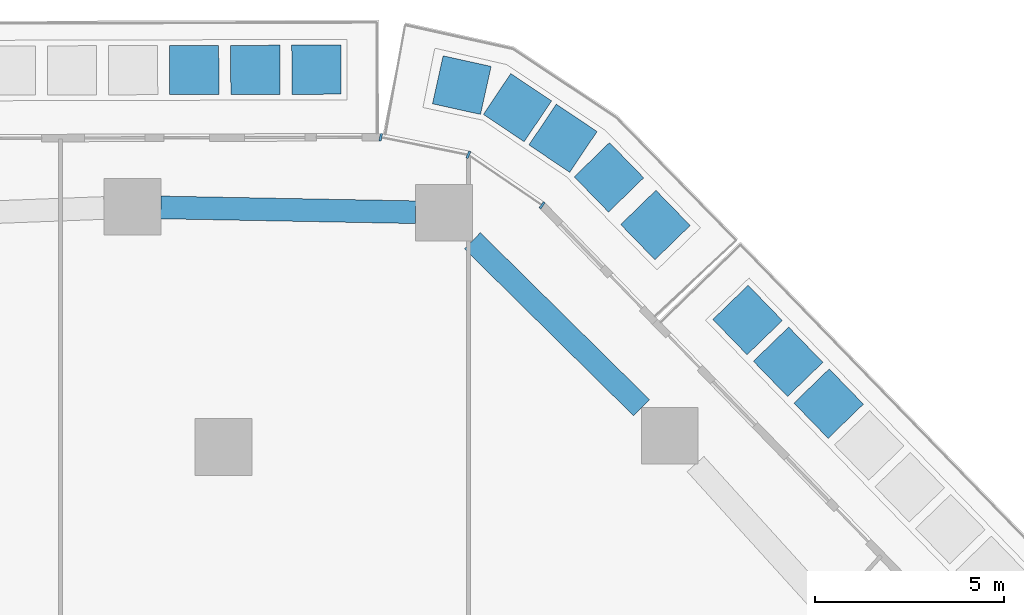
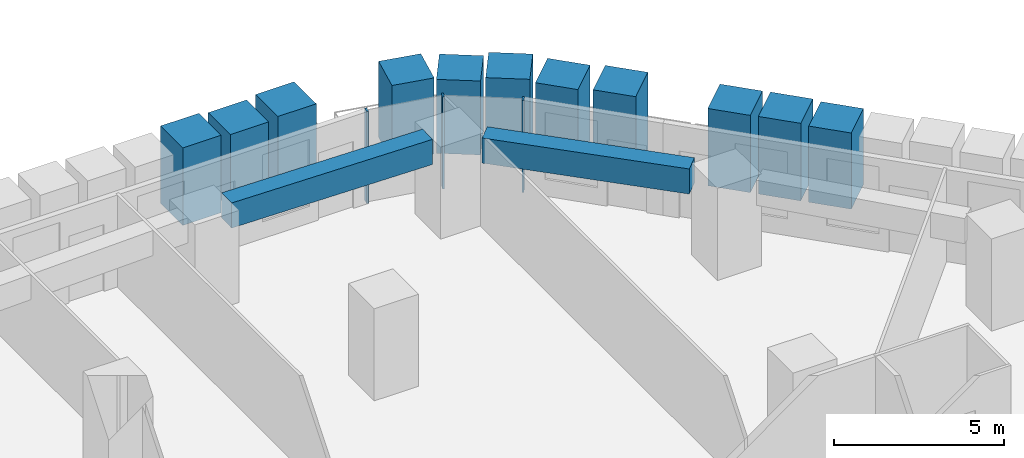
# One storey, part 10 of 27: 14 members, 2 beams, 1 element without a shape of its own.
"""IFC4 building model written with IfcOpenShell, lengths in metres."""

from ifc_helpers import new_model, si_unit, direction, frame, origin, origin_2d, place, context, subcontext, project, spatial, rectangle, extrude, material, layer, layer_set, material_profile, profile_set, type_object, element, aggregate, save


model = new_model("IFC4")

# Units and contexts
model_context = context("Model", 3, precision=1e-05, world=origin(), true_north=direction((0.0, 1.0)))
body_context = subcontext(model_context, "Body", "Model", "MODEL_VIEW")
ifc_project = project(units=[si_unit("LENGTHUNIT", "METRE"), si_unit("AREAUNIT", "SQUARE_METRE"), si_unit("VOLUMEUNIT", "CUBIC_METRE"), si_unit("PLANEANGLEUNIT", "RADIAN"), si_unit("MASSUNIT", "GRAM", prefix="KILO")], contexts=[model_context])

# Site, building, storey
site_placement = place(None, origin())
site = spatial("IfcSite", under=ifc_project, at=site_placement, CompositionType="ELEMENT")
building_placement = place(site_placement, origin())
building = spatial("IfcBuilding", under=site, at=building_placement, Name="Dongbaek Canopy Tower", CompositionType="ELEMENT")
storey_placement = place(building_placement, frame((0.0, 0.0, 55.10009765625)))
storey = spatial("IfcBuildingStorey", under=building, at=storey_placement, Name="L09", CompositionType="ELEMENT", Elevation=55.10009765625)

# Curtain wall, members
ifc_material_1 = material(Name="Aluminium 6063-T6 pale anodised", Category="aluminium")
ifc_layer = layer(ifc_material_1, 0.199951171875)
ifc_layer_set = layer_set([ifc_layer], Name="CW-1 unitised tower curtain wall")
curtain_wall_type = type_object("IfcCurtainWallType", Name="CW-1 unitised tower curtain wall", PredefinedType="NOTDEFINED", material=ifc_layer_set)
curtain_wall_placement = place(storey_placement, origin())
curtain_wall = element("IfcCurtainWall", 1, at=curtain_wall_placement, inside=storey, type_object=curtain_wall_type, Name="CW-1 curtain wall K1.1", PredefinedType="NOTDEFINED")
ifc_material_2 = material(Name="Aluminium 6063-T6 pale anodised", Category="aluminium")
ifc_material_profile_1 = material_profile(ifc_material_2, rectangle(XDim=0.199951171875, YDim=0.06005859375, at=origin_2d()), Name="CW-1 mullion 60 x 200")
ifc_profile_set_1 = profile_set([ifc_material_profile_1], Name="Aluminium 6063-T6 pale anodised")
member_type_1 = type_object("IfcMemberType", Name="CW-1 mullion 60 x 200", PredefinedType="MULLION", material=ifc_profile_set_1)
member_1_placement = place(storey_placement, frame((17.426025390625, 33.39208984375, 0.0), z_axis=(0.0, 0.0, 1.0), x_axis=(0.564668398633, 0.825317877903, 0.0)))
member_1 = element("IfcMember", 2, at=member_1_placement, type_object=member_type_1, Name="CW-1 mullion K1.1.1", PredefinedType="MULLION", context=body_context, shape_type="SweptSolid", body=[
    extrude(rectangle(XDim=0.199951171875, YDim=0.06005859375, at=origin_2d()), origin(), (0.0, 0.0, 1.0), 3.2998046875),
])
member_2_placement = place(storey_placement, frame((15.474853515625, 34.72705078125, 0.0), z_axis=(0.0, 0.0, 1.0), x_axis=(0.388619098911, 0.921398500086, 0.0)))
member_2 = element("IfcMember", 3, at=member_2_placement, type_object=member_type_1, Name="CW-1 mullion K1.1.2", PredefinedType="MULLION", context=body_context, shape_type="SweptSolid", body=[
    extrude(rectangle(XDim=0.199951171875, YDim=0.06005859375, at=origin_2d()), origin(), (0.0, 0.0, 1.0), 3.2998046875),
])
member_3_placement = place(storey_placement, frame((13.156982421875, 35.192626953125, 0.0), z_axis=(0.0, 0.0, 1.0), x_axis=(0.19693765738, 0.980416013285, 0.0)))
member_3 = element("IfcMember", 4, at=member_3_placement, type_object=member_type_1, Name="CW-1 mullion K1.1.3", PredefinedType="MULLION", context=body_context, shape_type="SweptSolid", body=[
    extrude(rectangle(XDim=0.199951171875, YDim=0.06005859375, at=origin_2d()), origin(), (0.0, 0.0, 1.0), 3.2998046875),
])
aggregate(curtain_wall, [member_1, member_2, member_3])

# Beams
ifc_material_3 = material(Name="Concrete C80", Category="concrete")
ifc_material_profile_2 = material_profile(ifc_material_3, rectangle(XDim=0.60009765625, YDim=0.89990234375, at=origin_2d()), Name="RC EDGE BEAM 600x900 C80")
ifc_profile_set_2 = profile_set([ifc_material_profile_2], Name="Concrete C80")
beam_type = type_object("IfcBeamType", Name="RC EDGE BEAM 600x900 C80", PredefinedType="BEAM", material=ifc_profile_set_2)
beam_1_placement = place(storey_placement, frame((7.339111328125, 33.3349609375, 2.849853515625), z_axis=(0.999822704828, -0.018829734762, 0.0), x_axis=(0.018829734762, 0.999822704828, 0.0)))
element("IfcBeam", 5, at=beam_1_placement, inside=storey, type_object=beam_type, Name="EDGEBEAM:L09:16", PredefinedType="BEAM", context=body_context, shape_type="SweptSolid", body=[
    extrude(rectangle(XDim=0.60009765625, YDim=0.89990234375, at=origin_2d()), origin(), (0.0, 0.0, 1.0), 6.7421875),
])
beam_2_placement = place(storey_placement, frame((15.580078125, 32.453857421875, 2.849853515625), z_axis=(0.711712436236, -0.702470930435, 0.0), x_axis=(0.702470930435, 0.711712436236, 0.0)))
element("IfcBeam", 6, at=beam_2_placement, inside=storey, type_object=beam_type, Name="EDGEBEAM:L09:17", PredefinedType="BEAM", context=body_context, shape_type="SweptSolid", body=[
    extrude(rectangle(XDim=0.60009765625, YDim=0.89990234375, at=origin_2d()), origin(), (0.0, 0.0, 1.0), 6.287353515625),
])

# Members
ifc_material_4 = material(Name="Concrete C40/50 planter mass with planting", Category="concrete")
ifc_material_profile_3 = material_profile(ifc_material_4, rectangle(XDim=1.300048828125, YDim=1.300048828125, at=origin_2d()), Name="Terrace PLANTER shrub mass 1300 x 1300")
ifc_profile_set_3 = profile_set([ifc_material_profile_3], Name="Concrete C40/50 planter mass with planting")
member_type_2 = type_object("IfcMemberType", Name="Terrace PLANTER shrub mass 1300 x 1300", PredefinedType="USERDEFINED", material=ifc_profile_set_3)
member_4_placement = place(storey_placement, frame((25.00537109375, 28.145263671875, 0.419921875), z_axis=(0.0, 0.0, 1.0), x_axis=(0.718004001298, 0.69603897457, 0.0)))
element("IfcMember", 7, at=member_4_placement, inside=storey, type_object=member_type_2, Name="Planter shrubs L09 1.8", ObjectType="PLANTER", PredefinedType="USERDEFINED", context=body_context, shape_type="SweptSolid", body=[
    extrude(rectangle(XDim=1.300048828125, YDim=1.300048828125, at=origin_2d()), origin(), (0.0, 0.0, 1.0), 2.72998046875),
])
member_5_placement = place(storey_placement, frame((23.93310546875, 29.251220703125, 0.419921875), z_axis=(0.0, 0.0, 1.0), x_axis=(0.718004001298, 0.69603897457, 0.0)))
element("IfcMember", 8, at=member_5_placement, inside=storey, type_object=member_type_2, Name="Planter shrubs L09 1.9", ObjectType="PLANTER", PredefinedType="USERDEFINED", context=body_context, shape_type="SweptSolid", body=[
    extrude(rectangle(XDim=1.300048828125, YDim=1.300048828125, at=origin_2d()), origin(), (0.0, 0.0, 1.0), 2.780029296875),
])
for number, where, z_axis, x_axis, name in (
    (9, (22.86083984375, 30.357421875, 0.419921875), (0.0, 0.0, 1.0), (0.718004001298, 0.69603897457, 0.0), "Planter shrubs L09 1.10"),
    (10, (20.4228515625, 32.869384765625, 0.419921875), (0.0, 0.0, 1.0), (0.716317815171, 0.697774166667, 0.0), "Planter shrubs L09 6.1"),
):
    element("IfcMember", number, at=place(storey_placement, frame(where, z_axis=z_axis, x_axis=x_axis)), inside=storey, type_object=member_type_2, Name=name, ObjectType="PLANTER", PredefinedType="USERDEFINED", context=body_context, shape_type="SweptSolid", body=[
        extrude(rectangle(XDim=1.300048828125, YDim=1.300048828125, at=origin_2d()), origin(), (0.0, 0.0, 1.0), 2.77001953125),
    ])
member_6_placement = place(storey_placement, frame((19.1943359375, 34.13037109375, 0.419921875), z_axis=(0.0, 0.0, 1.0), x_axis=(0.716317815171, 0.697774166667, 0.0)))
element("IfcMember", 11, at=member_6_placement, inside=storey, type_object=member_type_2, Name="Planter shrubs L09 6.2", ObjectType="PLANTER", PredefinedType="USERDEFINED", context=body_context, shape_type="SweptSolid", body=[
    extrude(rectangle(XDim=1.300048828125, YDim=1.300048828125, at=origin_2d()), origin(), (0.0, 0.0, 1.0), 2.68994140625),
])
member_7_placement = place(storey_placement, frame((17.97802734375, 35.165283203125, 0.419921875), z_axis=(0.0, 0.0, 1.0), x_axis=(0.557401353781, 0.830243175704, 0.0)))
element("IfcMember", 12, at=member_7_placement, inside=storey, type_object=member_type_2, Name="Planter shrubs L09 6.3", ObjectType="PLANTER", PredefinedType="USERDEFINED", context=body_context, shape_type="SweptSolid", body=[
    extrude(rectangle(XDim=1.300048828125, YDim=1.300048828125, at=origin_2d()), origin(), (0.0, 0.0, 1.0), 2.780029296875),
])
member_8_placement = place(storey_placement, frame((16.7734375, 35.973876953125, 0.419921875), z_axis=(0.0, 0.0, 1.0), x_axis=(0.557401353781, 0.830243175704, 0.0)))
element("IfcMember", 13, at=member_8_placement, inside=storey, type_object=member_type_2, Name="Planter shrubs L09 6.4", ObjectType="PLANTER", PredefinedType="USERDEFINED", context=body_context, shape_type="SweptSolid", body=[
    extrude(rectangle(XDim=1.300048828125, YDim=1.300048828125, at=origin_2d()), origin(), (0.0, 0.0, 1.0), 2.64990234375),
])
member_9_placement = place(storey_placement, frame((15.30126953125, 36.5703125, 0.419921875), z_axis=(0.0, 0.0, 1.0), x_axis=(0.215600594764, 0.976481635023, 0.0)))
element("IfcMember", 14, at=member_9_placement, inside=storey, type_object=member_type_2, Name="Planter shrubs L09 6.5", ObjectType="PLANTER", PredefinedType="USERDEFINED", context=body_context, shape_type="SweptSolid", body=[
    extrude(rectangle(XDim=1.300048828125, YDim=1.300048828125, at=origin_2d()), origin(), (0.0, 0.0, 1.0), 2.72998046875),
])
member_10_placement = place(storey_placement, frame((11.45458984375, 36.97802734375, 0.419921875), z_axis=(0.0, 0.0, 1.0), x_axis=(-0.002665570299, 0.999996447361, 0.0)))
element("IfcMember", 15, at=member_10_placement, inside=storey, type_object=member_type_2, Name="Planter shrubs L09 2.1", ObjectType="PLANTER", PredefinedType="USERDEFINED", context=body_context, shape_type="SweptSolid", body=[
    extrude(rectangle(XDim=1.300048828125, YDim=1.300048828125, at=origin_2d()), origin(), (0.0, 0.0, 1.0), 2.77001953125),
])
member_11_placement = place(storey_placement, frame((9.8388671875, 36.9736328125, 0.419921875), z_axis=(0.0, 0.0, 1.0), x_axis=(-0.002665570299, 0.999996447361, 0.0)))
element("IfcMember", 16, at=member_11_placement, inside=storey, type_object=member_type_2, Name="Planter shrubs L09 2.2", ObjectType="PLANTER", PredefinedType="USERDEFINED", context=body_context, shape_type="SweptSolid", body=[
    extrude(rectangle(XDim=1.300048828125, YDim=1.300048828125, at=origin_2d()), origin(), (0.0, 0.0, 1.0), 2.68994140625),
])
member_12_placement = place(storey_placement, frame((8.22314453125, 36.969482421875, 0.419921875), z_axis=(0.0, 0.0, 1.0), x_axis=(-0.002665570299, 0.999996447361, 0.0)))
element("IfcMember", 17, at=member_12_placement, inside=storey, type_object=member_type_2, Name="Planter shrubs L09 2.3", ObjectType="PLANTER", PredefinedType="USERDEFINED", context=body_context, shape_type="SweptSolid", body=[
    extrude(rectangle(XDim=1.300048828125, YDim=1.300048828125, at=origin_2d()), origin(), (0.0, 0.0, 1.0), 2.780029296875),
])

save(model, "model.ifc")
